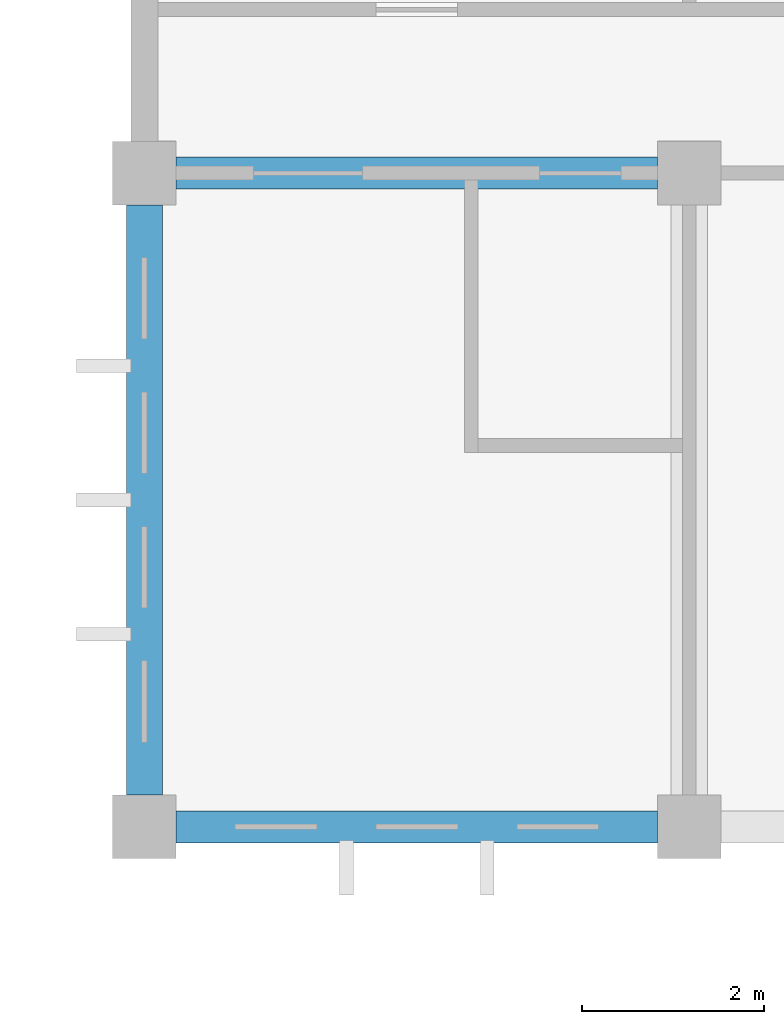
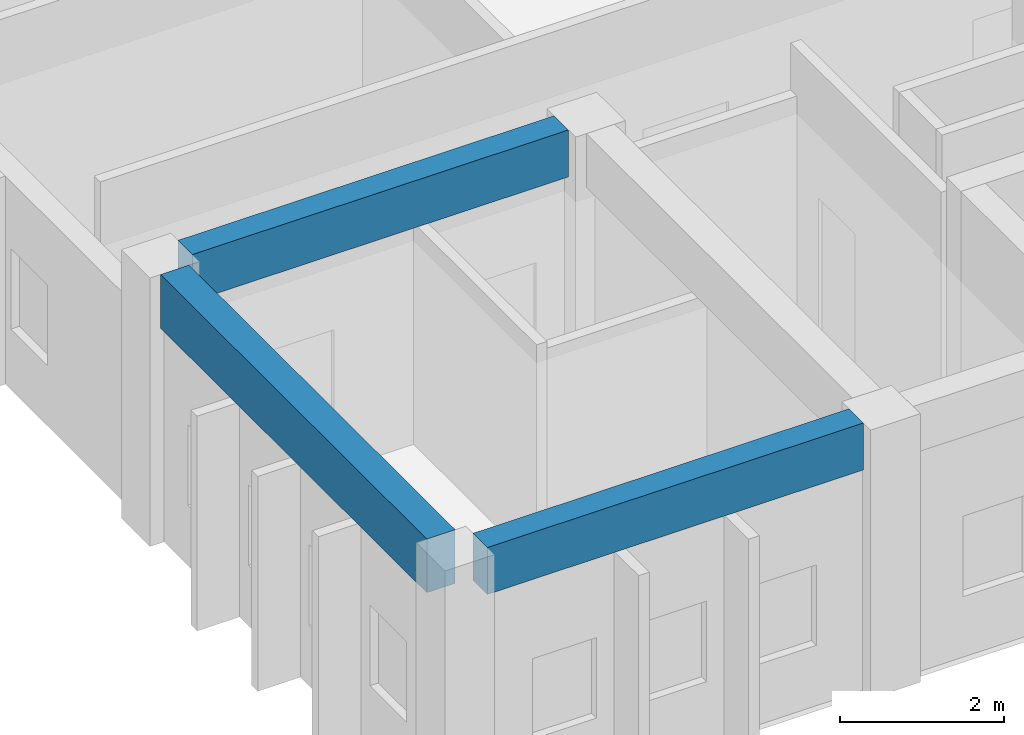
# One storey, part 35 of 92: 3 beams.
"""IFC4 building model written with IfcOpenShell, lengths in metres."""

from ifc_helpers import new_model, si_unit, direction, frame, origin, origin_2d, place, context, subcontext, project, spatial, rectangle, extrude, material, material_profile, profile_set, type_object, element, save


model = new_model("IFC4")

# Units and contexts
model_context = context("Model", 3, precision=1e-05, world=origin(), true_north=direction((0.0, 1.0)))
body_context = subcontext(model_context, "Body", "Model", "MODEL_VIEW")
ifc_project = project(units=[si_unit("LENGTHUNIT", "METRE"), si_unit("AREAUNIT", "SQUARE_METRE"), si_unit("VOLUMEUNIT", "CUBIC_METRE"), si_unit("PLANEANGLEUNIT", "RADIAN"), si_unit("MASSUNIT", "GRAM", prefix="KILO")], contexts=[model_context])

# Site, building, storey
site_placement = place(None, origin())
site = spatial("IfcSite", under=ifc_project, at=site_placement, CompositionType="ELEMENT")
building_placement = place(site_placement, origin())
building = spatial("IfcBuilding", under=site, at=building_placement, Name="Laocheng Heights Fire and Rescue Headquarters", CompositionType="ELEMENT")
storey_placement = place(building_placement, frame((0.0, 0.0, 12.60009765625)))
storey = spatial("IfcBuildingStorey", under=building, at=storey_placement, Name="L03", CompositionType="ELEMENT", Elevation=12.60009765625)

# Beams
ifc_material_1 = material(Name="Concrete C40", Category="concrete")
ifc_material_profile_1 = material_profile(ifc_material_1, rectangle(XDim=0.35009765625, YDim=0.699951171875, at=origin_2d()), Name="RC BEAM 350x700 CREW")
ifc_profile_set_1 = profile_set([ifc_material_profile_1], Name="Concrete C40")
beam_type_1 = type_object("IfcBeamType", Name="RC BEAM 350x700 CREW", PredefinedType="BEAM", material=ifc_profile_set_1)
for number, where, z_axis, x_axis, name in (
    (1, (90.35009765625, 36.0, 3.64990234375), (1.0, 0.0, 0.0), (0.0, 1.0, 0.0), "Crew beam L03"),
    (2, (90.35009765625, 43.199951171875, 3.64990234375), (1.0, 0.0, 0.0), (0.0, 1.0, 0.0), "Crew beam L03"),
):
    element("IfcBeam", number, at=place(storey_placement, frame(where, z_axis=z_axis, x_axis=x_axis)), inside=storey, type_object=beam_type_1, Name=name, PredefinedType="BEAM", context=body_context, shape_type="SweptSolid", body=[
        extrude(rectangle(XDim=0.35009765625, YDim=0.699951171875, at=origin_2d()), origin(), (0.0, 0.0, 1.0), 5.2998046875),
    ])
ifc_material_2 = material(Name="Concrete C40", Category="concrete")
ifc_material_profile_2 = material_profile(ifc_material_2, rectangle(XDim=0.39990234375, YDim=0.800048828125, at=origin_2d()), Name="RC BEAM 400x800 CREW")
ifc_profile_set_2 = profile_set([ifc_material_profile_2], Name="Concrete C40")
beam_type_2 = type_object("IfcBeamType", Name="RC BEAM 400x800 CREW", PredefinedType="BEAM", material=ifc_profile_set_2)
beam_placement = place(storey_placement, frame((90.0, 36.35009765625, 3.599853515625), z_axis=(0.0, 1.0, 0.0), x_axis=(-1.0, 0.0, 0.0)))
element("IfcBeam", 3, at=beam_placement, inside=storey, type_object=beam_type_2, Name="Crew beam L03", PredefinedType="BEAM", context=body_context, shape_type="SweptSolid", body=[
    extrude(rectangle(XDim=0.39990234375, YDim=0.800048828125, at=origin_2d()), origin(), (0.0, 0.0, 1.0), 6.5),
])

save(model, "model.ifc")
